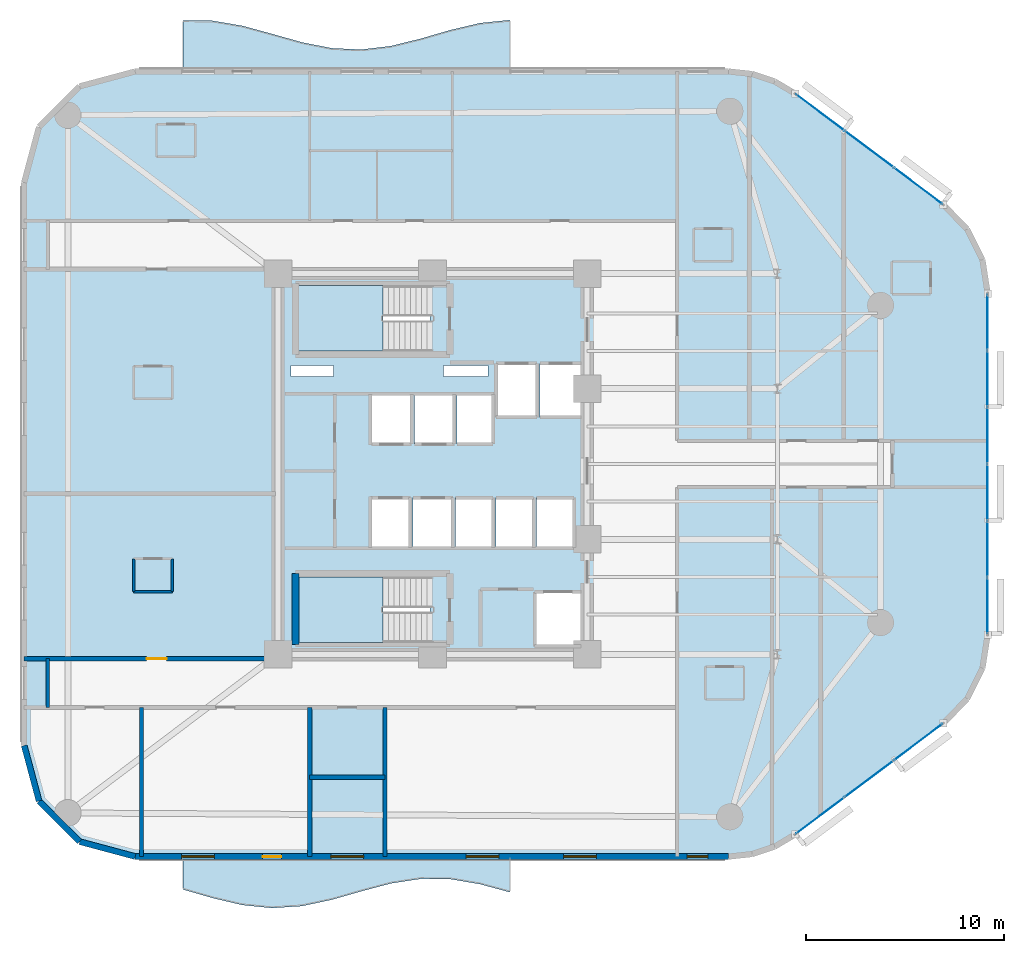
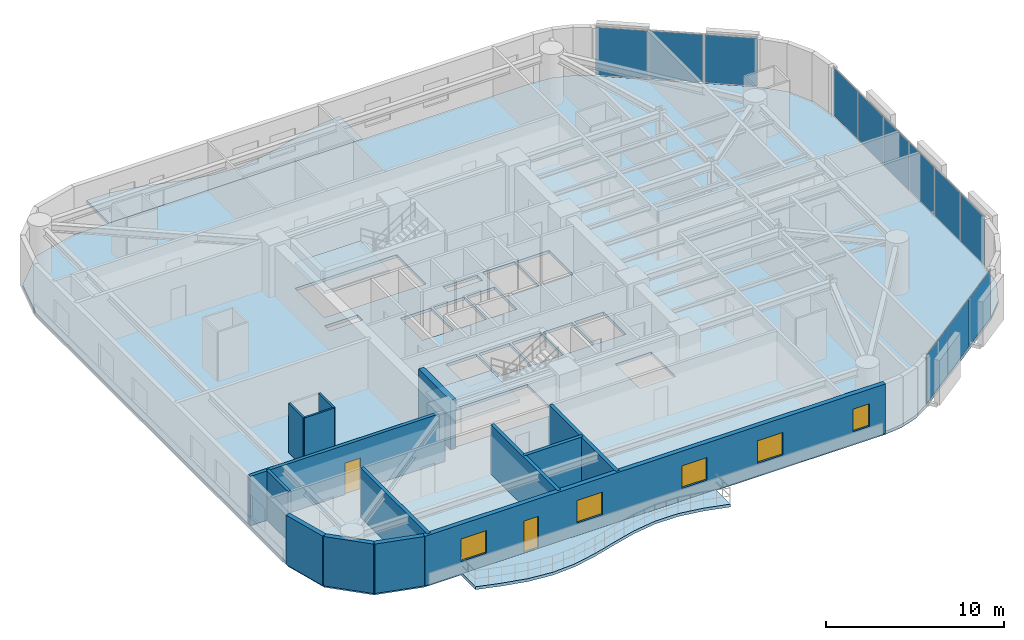
# One storey, part 9 of 16: 14 walls, 12 plates, 5 slabs, 5 windows, 2 doors, 7 openings, 5 elements without a shape of their own.
"""IFC4 building model written with IfcOpenShell, lengths in metres."""

from ifc_helpers import new_model, si_unit, direction, frame, frame_2d, origin, origin_2d, place, context, subcontext, project, spatial, polyline, rectangle, outline, extrude, material, layer, layer_set, type_object, element, fill, aggregate, save


model = new_model("IFC4")

# Units and contexts
model_context = context("Model", 3, precision=1e-05, world=origin(), true_north=direction((0.0, 1.0)))
body_context = subcontext(model_context, "Body", "Model", "MODEL_VIEW")
ifc_project = project(units=[si_unit("LENGTHUNIT", "METRE"), si_unit("AREAUNIT", "SQUARE_METRE"), si_unit("VOLUMEUNIT", "CUBIC_METRE"), si_unit("PLANEANGLEUNIT", "RADIAN"), si_unit("MASSUNIT", "GRAM", prefix="KILO")], contexts=[model_context])

# Site, building, storey
site_placement = place(None, origin())
site = spatial("IfcSite", under=ifc_project, at=site_placement, CompositionType="ELEMENT")
building_placement = place(site_placement, origin())
building = spatial("IfcBuilding", under=site, at=building_placement, Name="An Khanh Terracotta Commons", CompositionType="ELEMENT")
storey_placement = place(building_placement, frame((0.0, 0.0, 89.89990234375)))
storey = spatial("IfcBuildingStorey", under=building, at=storey_placement, Name="L23", CompositionType="ELEMENT", Elevation=89.89990234375)

# Curtain wall, plates
ifc_material_1 = material(Name="Anodised Aluminium 6063-T6", Category="aluminium")
ifc_layer_1 = layer(ifc_material_1, 0.199951171875, Name="Anodised Aluminium 6063-T6")
ifc_layer_set_1 = layer_set([ifc_layer_1], Name="Anodised Aluminium 6063-T6")
curtain_wall_type = type_object("IfcCurtainWallType", Name="CW-SYS-02", PredefinedType="USERDEFINED", material=ifc_layer_set_1)
curtain_wall_1_placement = place(storey_placement, origin())
curtain_wall_1 = element("IfcCurtainWall", 1, at=curtain_wall_1_placement, inside=storey, type_object=curtain_wall_type, Name="L23 CW-02 Unitised Curtain Wall CW-L23-08", ObjectType="UNITISED CURTAIN WALL", PredefinedType="USERDEFINED")
ifc_material_2 = material(Name="Double Low-E Solar Control Glazing", Category="glass")
ifc_layer_2 = layer(ifc_material_2, 0.028076171875, Name="Double Low-E Solar Control Glazing")
ifc_layer_set_2 = layer_set([ifc_layer_2], Name="Double Low-E Solar Control Glazing")
plate_type = type_object("IfcPlateType", Name="CWP-IGU-28", PredefinedType="CURTAIN_PANEL", material=ifc_layer_set_2)
plate_1_placement = place(storey_placement, frame((48.951416015625, 6.263916015625, 0.06005859375), z_axis=(0.0, 0.0, 1.0), x_axis=(0.800012856594, 0.599982857492, 0.0)))
plate_1 = element("IfcPlate", 2, at=plate_1_placement, type_object=plate_type, Name="CW-02 panel 1.1", PredefinedType="CURTAIN_PANEL", context=body_context, shape_type="SweptSolid", body=[
    extrude(rectangle(XDim=3.006103515625, YDim=0.028076171875, at=origin_2d()), origin(), (0.0, 0.0, 1.0), 3.280029296875),
])
plate_2_placement = place(storey_placement, frame((51.426513671875, 8.1201171875, 0.06005859375), z_axis=(0.0, 0.0, 1.0), x_axis=(0.800012856594, 0.599982857492, 0.0)))
plate_2 = element("IfcPlate", 3, at=plate_2_placement, type_object=plate_type, Name="CW-02 panel 2.1", PredefinedType="CURTAIN_PANEL", context=body_context, shape_type="SweptSolid", body=[
    extrude(rectangle(XDim=3.041259765625, YDim=0.028076171875, at=origin_2d()), origin(), (0.0, 0.0, 1.0), 3.280029296875),
])
plate_3_placement = place(storey_placement, frame((53.901611328125, 9.97607421875, 0.06005859375), z_axis=(0.0, 0.0, 1.0), x_axis=(0.800012856594, 0.599982857492, 0.0)))
plate_3 = element("IfcPlate", 4, at=plate_3_placement, type_object=plate_type, Name="CW-02 panel 3.1", PredefinedType="CURTAIN_PANEL", context=body_context, shape_type="SweptSolid", body=[
    extrude(rectangle(XDim=3.006103515625, YDim=0.028076171875, at=origin_2d()), origin(), (0.0, 0.0, 1.0), 3.280029296875),
])
aggregate(curtain_wall_1, [plate_1, plate_2, plate_3])

curtain_wall_2_placement = place(storey_placement, origin())
curtain_wall_2 = element("IfcCurtainWall", 5, at=curtain_wall_2_placement, inside=storey, type_object=curtain_wall_type, Name="L23 CW-02 Unitised Curtain Wall CW-L23-12", ObjectType="UNITISED CURTAIN WALL", PredefinedType="USERDEFINED")
plate_4_placement = place(storey_placement, frame((57.39990234375, 16.850830078125, 0.06005859375), z_axis=(0.0, 0.0, 1.0), x_axis=(0.0, 1.0, 0.0)))
plate_4 = element("IfcPlate", 6, at=plate_4_placement, type_object=plate_type, Name="CW-02 panel 1.1", PredefinedType="CURTAIN_PANEL", context=body_context, shape_type="SweptSolid", body=[
    extrude(rectangle(XDim=2.76171875, YDim=0.028076171875, at=origin_2d()), origin(), (0.0, 0.0, 1.0), 3.280029296875),
])
plate_5_placement = place(storey_placement, frame((57.39990234375, 19.699951171875, 0.06005859375), z_axis=(0.0, 0.0, 1.0), x_axis=(0.0, 1.0, 0.0)))
plate_5 = element("IfcPlate", 7, at=plate_5_placement, type_object=plate_type, Name="CW-02 panel 2.1", PredefinedType="CURTAIN_PANEL", context=body_context, shape_type="SweptSolid", body=[
    extrude(rectangle(XDim=2.796630859375, YDim=0.028076171875, at=origin_2d()), origin(), (0.0, 0.0, 1.0), 3.280029296875),
])
plate_6_placement = place(storey_placement, frame((57.39990234375, 22.566650390625, 0.06005859375), z_axis=(0.0, 0.0, 1.0), x_axis=(0.0, 1.0, 0.0)))
plate_6 = element("IfcPlate", 8, at=plate_6_placement, type_object=plate_type, Name="CW-02 panel 3.1", PredefinedType="CURTAIN_PANEL", context=body_context, shape_type="SweptSolid", body=[
    extrude(rectangle(XDim=2.796630859375, YDim=0.028076171875, at=origin_2d()), origin(), (0.0, 0.0, 1.0), 3.280029296875),
])
plate_7_placement = place(storey_placement, frame((57.39990234375, 25.433349609375, 0.06005859375), z_axis=(0.0, 0.0, 1.0), x_axis=(0.0, 1.0, 0.0)))
plate_7 = element("IfcPlate", 9, at=plate_7_placement, type_object=plate_type, Name="CW-02 panel 4.1", PredefinedType="CURTAIN_PANEL", context=body_context, shape_type="SweptSolid", body=[
    extrude(rectangle(XDim=2.796630859375, YDim=0.028076171875, at=origin_2d()), origin(), (0.0, 0.0, 1.0), 3.280029296875),
])
plate_8_placement = place(storey_placement, frame((57.39990234375, 28.300048828125, 0.06005859375), z_axis=(0.0, 0.0, 1.0), x_axis=(0.0, 1.0, 0.0)))
plate_8 = element("IfcPlate", 10, at=plate_8_placement, type_object=plate_type, Name="CW-02 panel 5.1", PredefinedType="CURTAIN_PANEL", context=body_context, shape_type="SweptSolid", body=[
    extrude(rectangle(XDim=2.796630859375, YDim=0.028076171875, at=origin_2d()), origin(), (0.0, 0.0, 1.0), 3.280029296875),
])
plate_9_placement = place(storey_placement, frame((57.39990234375, 31.149169921875, 0.06005859375), z_axis=(0.0, 0.0, 1.0), x_axis=(0.0, 1.0, 0.0)))
plate_9 = element("IfcPlate", 11, at=plate_9_placement, type_object=plate_type, Name="CW-02 panel 6.1", PredefinedType="CURTAIN_PANEL", context=body_context, shape_type="SweptSolid", body=[
    extrude(rectangle(XDim=2.76171875, YDim=0.028076171875, at=origin_2d()), origin(), (0.0, 0.0, 1.0), 3.280029296875),
])
aggregate(curtain_wall_2, [plate_4, plate_5, plate_6, plate_7, plate_8, plate_9])

curtain_wall_3_placement = place(storey_placement, origin())
curtain_wall_3 = element("IfcCurtainWall", 12, at=curtain_wall_3_placement, inside=storey, type_object=curtain_wall_type, Name="L23 CW-02 Unitised Curtain Wall CW-L23-16", ObjectType="UNITISED CURTAIN WALL", PredefinedType="USERDEFINED")
plate_10_placement = place(storey_placement, frame((53.901611328125, 38.02392578125, 0.06005859375), z_axis=(0.0, 0.0, 1.0), x_axis=(-0.800012856594, 0.599982857492, 0.0)))
plate_10 = element("IfcPlate", 13, at=plate_10_placement, type_object=plate_type, Name="CW-02 panel 1.1", PredefinedType="CURTAIN_PANEL", context=body_context, shape_type="SweptSolid", body=[
    extrude(rectangle(XDim=3.006103515625, YDim=0.028076171875, at=origin_2d()), origin(), (0.0, 0.0, 1.0), 3.280029296875),
])
plate_11_placement = place(storey_placement, frame((51.426513671875, 39.8798828125, 0.06005859375), z_axis=(0.0, 0.0, 1.0), x_axis=(-0.800012856594, 0.599982857492, 0.0)))
plate_11 = element("IfcPlate", 14, at=plate_11_placement, type_object=plate_type, Name="CW-02 panel 2.1", PredefinedType="CURTAIN_PANEL", context=body_context, shape_type="SweptSolid", body=[
    extrude(rectangle(XDim=3.041259765625, YDim=0.028076171875, at=origin_2d()), origin(), (0.0, 0.0, 1.0), 3.280029296875),
])
plate_12_placement = place(storey_placement, frame((48.951416015625, 41.736083984375, 0.06005859375), z_axis=(0.0, 0.0, 1.0), x_axis=(-0.800012856594, 0.599982857492, 0.0)))
plate_12 = element("IfcPlate", 15, at=plate_12_placement, type_object=plate_type, Name="CW-02 panel 3.1", PredefinedType="CURTAIN_PANEL", context=body_context, shape_type="SweptSolid", body=[
    extrude(rectangle(XDim=3.006103515625, YDim=0.028076171875, at=origin_2d()), origin(), (0.0, 0.0, 1.0), 3.280029296875),
])
aggregate(curtain_wall_3, [plate_10, plate_11, plate_12])

# Slabs
ifc_material_3 = material(Name="Concrete C40/50", Category="concrete")
ifc_layer_3 = layer(ifc_material_3, 0.199951171875, Name="Concrete C40/50")
ifc_layer_set_3 = layer_set([ifc_layer_3], Name="Concrete C40/50")
slab_type_1 = type_object("IfcSlabType", Name="SLAB-BALC-200", PredefinedType="FLOOR", material=ifc_layer_set_3)
slab_1_placement = place(storey_placement, frame((0.0, 0.0, -0.199951171875)))
element("IfcSlab", 16, at=slab_1_placement, inside=storey, type_object=slab_type_1, Name="L23 S Sinusoidal Wave Balcony Slab", PredefinedType="FLOOR", context=body_context, shape_type="SweptSolid", body=[
    extrude(outline(polyline([(16.800048828125, 4.199951171875), (16.800048828125, 2.5439453125), (18.300048828125, 2.10888671875), (19.800048828125, 1.7548828125), (21.300048828125, 1.60205078125), (22.800048828125, 1.699951171875), (24.300048828125, 2.01806640625), (25.800048828125, 2.447998046875), (27.300048828125, 2.844970703125), (28.800048828125, 3.073974609375), (30.300048828125, 3.06005859375), (31.800048828125, 2.806884765625), (33.300048828125, 2.39892578125), (33.300048828125, 4.199951171875), (16.800048828125, 4.199951171875)])), origin(), (0.0, 0.0, 1.0), 0.199951171875),
])
slab_2_placement = place(storey_placement, frame((0.0, 0.0, -0.199951171875)))
element("IfcSlab", 17, at=slab_2_placement, inside=storey, type_object=slab_type_1, Name="L23 N Sinusoidal Wave Balcony Slab", PredefinedType="FLOOR", context=body_context, shape_type="SweptSolid", body=[
    extrude(outline(polyline([(33.300048828125, 43.800048828125), (33.300048828125, 46.39794921875), (31.800048828125, 46.2451171875), (30.300048828125, 45.89111328125), (28.800048828125, 45.4560546875), (27.300048828125, 45.0859375), (25.800048828125, 44.906005859375), (24.300048828125, 44.97705078125), (22.800048828125, 45.27490234375), (21.300048828125, 45.698974609375), (19.800048828125, 46.10693359375), (18.300048828125, 46.360107421875), (16.800048828125, 46.3740234375), (16.800048828125, 43.800048828125), (33.300048828125, 43.800048828125)])), origin(), (0.0, 0.0, 1.0), 0.199951171875),
])

# Stair, slab
ifc_material_4 = material(Name="Precast concrete C40/50", Category="concrete")
stair_type = type_object("IfcStairType", Name="STAIR-CORE-1550", PredefinedType="HALF_TURN_STAIR", material=ifc_material_4)
stair_1_placement = place(storey_placement, origin())
stair_1 = element("IfcStair", 18, at=stair_1_placement, inside=storey, type_object=stair_type, Name="L23 Core Smokeproof Exit Stair ST-01", PredefinedType="HALF_TURN_STAIR")
ifc_layer_4 = layer(ifc_material_3, 0.18994140625, Name="Concrete C40/50")
ifc_layer_set_4 = layer_set([ifc_layer_4], Name="Concrete C40/50")
slab_type_2 = type_object("IfcSlabType", Name="SLAB-LANDING-190", PredefinedType="LANDING", material=ifc_layer_set_4)
slab_3_placement = place(storey_placement, frame((0.0, 0.0, 1.60009765625)))
slab_3 = element("IfcSlab", 19, at=slab_3_placement, type_object=slab_type_2, Name="ST-01 landing 1", PredefinedType="LANDING", context=body_context, shape_type="SweptSolid", body=[
    extrude(outline(polyline([(26.889892578125, 33.0), (22.64990234375, 33.0), (22.64990234375, 29.699951171875), (26.889892578125, 29.699951171875), (26.889892578125, 33.0)])), origin(), (0.0, 0.0, 1.0), 0.199951171875),
])
aggregate(stair_1, [slab_3])

stair_2_placement = place(storey_placement, origin())
stair_2 = element("IfcStair", 20, at=stair_2_placement, inside=storey, type_object=stair_type, Name="L23 Core Smokeproof Exit Stair ST-02", PredefinedType="HALF_TURN_STAIR")
slab_4_placement = place(storey_placement, frame((0.0, 0.0, 1.60009765625)))
slab_4 = element("IfcSlab", 21, at=slab_4_placement, type_object=slab_type_2, Name="ST-02 landing 1", PredefinedType="LANDING", context=body_context, shape_type="SweptSolid", body=[
    extrude(outline(polyline([(26.889892578125, 18.300048828125), (22.64990234375, 18.300048828125), (22.64990234375, 15.0), (26.889892578125, 15.0), (26.889892578125, 18.300048828125)])), origin(), (0.0, 0.0, 1.0), 0.199951171875),
])
aggregate(stair_2, [slab_4])

# Slab
ifc_layer_5 = layer(ifc_material_3, 0.199951171875, Name="Concrete C40/50")
ifc_layer_set_5 = layer_set([ifc_layer_5], Name="Concrete C40/50")
slab_type_3 = type_object("IfcSlabType", Name="SLAB-TYP-200", PredefinedType="FLOOR", material=ifc_layer_set_5)
slab_5_placement = place(storey_placement, frame((0.0, 0.0, -0.199951171875)))
element("IfcSlab", 22, at=slab_5_placement, inside=storey, type_object=slab_type_3, Name="L23 Structural Floor Slab", PredefinedType="FLOOR", context=body_context, shape_type="SweptSolid", body=[
    extrude(outline(polyline([(8.800048828125, 9.800048828125), (9.550048828125, 7.0), (11.60009765625, 4.949951171875), (14.39990234375, 4.199951171875), (44.3330078125, 4.199951171875), (45.52490234375, 4.327880859375), (46.6630859375, 4.70703125), (47.693115234375, 5.320068359375), (55.159912109375, 10.919921875), (56.364013671875, 12.154052734375), (57.135009765625, 13.696044921875), (57.39990234375, 15.39990234375), (57.39990234375, 32.60009765625), (57.135009765625, 34.303955078125), (56.364013671875, 35.845947265625), (55.159912109375, 37.080078125), (47.693115234375, 42.679931640625), (46.6630859375, 43.29296875), (45.52490234375, 43.672119140625), (44.3330078125, 43.800048828125), (14.39990234375, 43.800048828125), (11.60009765625, 43.050048828125), (9.550048828125, 41.0), (8.800048828125, 38.199951171875), (8.800048828125, 9.800048828125)]), holes=[polyline([(22.64990234375, 29.699951171875), (29.27001953125, 29.699951171875), (29.27001953125, 33.0), (22.64990234375, 33.0), (22.64990234375, 29.699951171875)]), polyline([(22.64990234375, 15.0), (29.27001953125, 15.0), (29.27001953125, 18.300048828125), (22.64990234375, 18.300048828125), (22.64990234375, 15.0)]), polyline([(32.60009765625, 26.35009765625), (34.679931640625, 26.35009765625), (34.679931640625, 29.080078125), (32.60009765625, 29.080078125), (32.60009765625, 26.35009765625)]), polyline([(34.820068359375, 26.35009765625), (36.89990234375, 26.35009765625), (36.89990234375, 29.080078125), (34.820068359375, 29.080078125), (34.820068359375, 26.35009765625)]), polyline([(34.550048828125, 14.800048828125), (36.89990234375, 14.800048828125), (36.89990234375, 17.550048828125), (34.550048828125, 17.550048828125), (34.550048828125, 14.800048828125)]), polyline([(26.320068359375, 25.0), (28.340087890625, 25.0), (28.340087890625, 27.5), (26.320068359375, 27.5), (26.320068359375, 25.0)]), polyline([(28.47998046875, 25.0), (30.5, 25.0), (30.5, 27.5), (28.47998046875, 27.5), (28.47998046875, 25.0)]), polyline([(26.280029296875, 19.800048828125), (28.280029296875, 19.800048828125), (28.280029296875, 22.300048828125), (26.280029296875, 22.300048828125), (26.280029296875, 19.800048828125)]), polyline([(28.419921875, 19.800048828125), (30.419921875, 19.800048828125), (30.419921875, 22.300048828125), (28.419921875, 22.300048828125), (28.419921875, 19.800048828125)]), polyline([(30.639892578125, 25.0), (32.4599609375, 25.0), (32.4599609375, 27.5), (30.639892578125, 27.5), (30.639892578125, 25.0)]), polyline([(30.56005859375, 19.800048828125), (32.4599609375, 19.800048828125), (32.4599609375, 22.300048828125), (30.56005859375, 22.300048828125), (30.56005859375, 19.800048828125)]), polyline([(32.60009765625, 19.800048828125), (34.5, 19.800048828125), (34.5, 22.300048828125), (32.60009765625, 22.300048828125), (32.60009765625, 19.800048828125)]), polyline([(34.639892578125, 19.800048828125), (36.5400390625, 19.800048828125), (36.5400390625, 22.300048828125), (34.639892578125, 22.300048828125), (34.639892578125, 19.800048828125)]), polyline([(22.25, 28.419921875), (24.39990234375, 28.419921875), (24.39990234375, 28.97998046875), (22.25, 28.97998046875), (22.25, 28.419921875)]), polyline([(29.949951171875, 28.419921875), (32.199951171875, 28.419921875), (32.199951171875, 28.97998046875), (29.949951171875, 28.97998046875), (29.949951171875, 28.419921875)])]), origin(), (0.0, 0.0, 1.0), 0.199951171875),
])

# Walls
ifc_material_5 = material(Name="Fire-Rated Gypsum Board on Steel Stud", Category="steel")
ifc_layer_6 = layer(ifc_material_5, 0.179931640625, Name="Fire-Rated Gypsum Board on Steel Stud")
ifc_layer_set_6 = layer_set([ifc_layer_6], Name="Fire-Rated Gypsum Board on Steel Stud")
wall_type_1 = type_object("IfcWallType", Name="WALL-CORR-180", PredefinedType="PARTITIONING", material=ifc_layer_set_6)
wall_1_placement = place(storey_placement, frame((10.0, 11.719970703125, 0.0), z_axis=(0.0, 0.0, 1.0), x_axis=(0.0, 1.0, 0.0)))
element("IfcWall", 23, at=wall_1_placement, inside=storey, type_object=wall_type_1, Name="L23 Interior Partition IW-L23-E010", PredefinedType="PARTITIONING", context=body_context, shape_type="SweptSolid", body=[
    extrude(rectangle(XDim=2.4599609375, YDim=0.179931640625, at=frame_2d((1.22998046875, 0.0))), origin(), (0.0, 0.0, 1.0), 3.400146484375),
])
ifc_layer_7 = layer(ifc_material_4, 0.300048828125, Name="Precast concrete C40/50")
ifc_layer_set_7 = layer_set([ifc_layer_7], Name="Precast concrete C40/50")
wall_type_2 = type_object("IfcWallType", Name="WALL-EXT-300", PredefinedType="SOLIDWALL", material=ifc_layer_set_7)
wall_2_placement = place(storey_placement, frame((8.800048828125, 9.800048828125, 0.0), z_axis=(0.0, 0.0, 1.0), x_axis=(0.258731875344, -0.96594917914, 0.0)))
element("IfcWall", 24, at=wall_2_placement, inside=storey, type_object=wall_type_2, Name="L23 Insulated Terracotta Exterior Wall 1", PredefinedType="SOLIDWALL", context=body_context, shape_type="SweptSolid", body=[
    extrude(rectangle(XDim=2.898681640625, YDim=0.300048828125, at=frame_2d((1.44921875, 0.0))), origin(), (0.0, 0.0, 1.0), 3.400146484375),
])
wall_3_placement = place(storey_placement, frame((9.550048828125, 7.0, 0.0), z_axis=(0.0, 0.0, 1.0), x_axis=(0.707106781187, -0.707106781187, 0.0)))
element("IfcWall", 25, at=wall_3_placement, inside=storey, type_object=wall_type_2, Name="L23 Insulated Terracotta Exterior Wall 2", PredefinedType="SOLIDWALL", context=body_context, shape_type="SweptSolid", body=[
    extrude(rectangle(XDim=2.899169921875, YDim=0.300048828125, at=frame_2d((1.44970703125, 0.0))), origin(), (0.0, 0.0, 1.0), 3.400146484375),
])
wall_4_placement = place(storey_placement, frame((11.60009765625, 4.949951171875, 0.0), z_axis=(0.0, 0.0, 1.0), x_axis=(0.965943540406, -0.258752926066, 0.0)))
element("IfcWall", 26, at=wall_4_placement, inside=storey, type_object=wall_type_2, Name="L23 Insulated Terracotta Exterior Wall 3", PredefinedType="SOLIDWALL", context=body_context, shape_type="SweptSolid", body=[
    extrude(rectangle(XDim=2.8984375, YDim=0.300048828125, at=frame_2d((1.44921875, 0.0))), origin(), (0.0, 0.0, 1.0), 3.400146484375),
])

# Wall, openings, door, windows
wall_5_placement = place(storey_placement, frame((14.39990234375, 4.199951171875, 0.0), z_axis=(0.0, 0.0, 1.0), x_axis=(1.0, 0.0, 0.0)))
wall_5 = element("IfcWall", 27, at=wall_5_placement, inside=storey, type_object=wall_type_2, Name="L23 Insulated Terracotta Exterior Wall 4", PredefinedType="SOLIDWALL", context=body_context, shape_type="SweptSolid", body=[
    extrude(rectangle(XDim=29.93310546875, YDim=0.300048828125, at=frame_2d((14.966552734375, 0.0))), origin(), (0.0, 0.0, 1.0), 3.400146484375),
])
opening_1_placement = place(wall_5_placement, frame((6.425048828125, 0.0, 0.0)))
opening_1 = element("IfcOpeningElement", 28, at=opening_1_placement, cuts=wall_5, Name="Opening D-BAL", PredefinedType="OPENING", context=body_context, shape_type="SweptSolid", body=[
    extrude(rectangle(XDim=0.949951171875, YDim=2.199951171875, at=frame_2d((0.47509765625, 1.10009765625))), frame((0.0, 0.159912109375, 0.0), z_axis=(0.0, -1.0, 0.0), x_axis=(1.0, 0.0, 0.0)), (0.0, 0.0, 1.0), 0.320068359375),
])
opening_2_placement = place(wall_5_placement, frame((2.342041015625, 0.0, 0.85009765625)))
opening_2 = element("IfcOpeningElement", 29, at=opening_2_placement, cuts=wall_5, Name="Opening W-02", PredefinedType="OPENING", context=body_context, shape_type="SweptSolid", body=[
    extrude(rectangle(XDim=1.64990234375, YDim=1.550048828125, at=frame_2d((0.824951171875, 0.77490234375))), frame((0.0, 0.159912109375, 0.0), z_axis=(0.0, -1.0, 0.0), x_axis=(1.0, 0.0, 0.0)), (0.0, 0.0, 1.0), 0.320068359375),
])
opening_3_placement = place(wall_5_placement, frame((9.875, 0.0, 0.85009765625)))
opening_3 = element("IfcOpeningElement", 30, at=opening_3_placement, cuts=wall_5, Name="Opening W-02", PredefinedType="OPENING", context=body_context, shape_type="SweptSolid", body=[
    extrude(rectangle(XDim=1.64990234375, YDim=1.550048828125, at=frame_2d((0.824951171875, 0.77490234375))), frame((0.0, 0.159912109375, 0.0), z_axis=(0.0, -1.0, 0.0), x_axis=(1.0, 0.0, 0.0)), (0.0, 0.0, 1.0), 0.320068359375),
])
opening_4_placement = place(wall_5_placement, frame((16.69189453125, 0.0, 0.85009765625)))
opening_4 = element("IfcOpeningElement", 31, at=opening_4_placement, cuts=wall_5, Name="Opening W-02", PredefinedType="OPENING", context=body_context, shape_type="SweptSolid", body=[
    extrude(rectangle(XDim=1.64990234375, YDim=1.550048828125, at=frame_2d((0.824951171875, 0.77490234375))), frame((0.0, 0.159912109375, 0.0), z_axis=(0.0, -1.0, 0.0), x_axis=(1.0, 0.0, 0.0)), (0.0, 0.0, 1.0), 0.320068359375),
])
opening_5_placement = place(wall_5_placement, frame((21.60791015625, 0.0, 0.85009765625)))
opening_5 = element("IfcOpeningElement", 32, at=opening_5_placement, cuts=wall_5, Name="Opening W-02", PredefinedType="OPENING", context=body_context, shape_type="SweptSolid", body=[
    extrude(rectangle(XDim=1.64990234375, YDim=1.550048828125, at=frame_2d((0.824951171875, 0.77490234375))), frame((0.0, 0.159912109375, 0.0), z_axis=(0.0, -1.0, 0.0), x_axis=(1.0, 0.0, 0.0)), (0.0, 0.0, 1.0), 0.320068359375),
])
opening_6_placement = place(wall_5_placement, frame((27.8359375, 0.0, 0.85009765625)))
opening_6 = element("IfcOpeningElement", 33, at=opening_6_placement, cuts=wall_5, Name="Opening W-06", PredefinedType="OPENING", context=body_context, shape_type="SweptSolid", body=[
    extrude(rectangle(XDim=1.050048828125, YDim=1.550048828125, at=frame_2d((0.52490234375, 0.77490234375))), frame((0.0, 0.159912109375, 0.0), z_axis=(0.0, -1.0, 0.0), x_axis=(1.0, 0.0, 0.0)), (0.0, 0.0, 1.0), 0.320068359375),
])
ifc_material_6 = material(Name="Thermally Broken Aluminium and Low-E Glass", Category="aluminium")
door_type_1 = type_object("IfcDoorType", Name="DOOR-BALC-950", OperationType="NOTDEFINED", PredefinedType="DOOR", material=ifc_material_6)
door_1_placement = place(opening_1_placement, origin())
door_1 = element("IfcDoor", 34, at=door_1_placement, inside=storey, type_object=door_type_1, Name="L23 S Wave Balcony Glazed Door", OperationType="SINGLE_SWING_LEFT", OverallHeight=2.199951171875, OverallWidth=0.949951171875, PredefinedType="DOOR", context=body_context, shape_type="SweptSolid", body=[
    extrude(rectangle(XDim=0.949951171875, YDim=2.199951171875, at=frame_2d((0.47509765625, 1.10009765625))), frame((0.0, 0.02490234375, 0.0), z_axis=(0.0, -1.0, 0.0), x_axis=(1.0, 0.0, 0.0)), (0.0, 0.0, 1.0), 0.050048828125),
])
fill(opening_1, door_1)
window_type_1 = type_object("IfcWindowType", Name="WIN-COR-1050x1550", PartitioningType="SINGLE_PANEL", PredefinedType="WINDOW", material=ifc_material_6)
window_1_placement = place(opening_6_placement, origin())
window_1 = element("IfcWindow", 35, at=window_1_placement, inside=storey, type_object=window_type_1, Name="L23 L23-SB1 Dwelling Casement Window", OverallHeight=1.550048828125, OverallWidth=1.050048828125, PartitioningType="SINGLE_PANEL", PredefinedType="WINDOW", context=body_context, shape_type="SweptSolid", body=[
    extrude(rectangle(XDim=1.050048828125, YDim=1.550048828125, at=frame_2d((0.52490234375, 0.77490234375))), frame((0.0, 0.030029296875, 0.0), z_axis=(0.0, -1.0, 0.0), x_axis=(1.0, 0.0, 0.0)), (0.0, 0.0, 1.0), 0.06005859375),
])
fill(opening_6, window_1)
window_type_2 = type_object("IfcWindowType", Name="WIN-Z2-1650x1550", PartitioningType="DOUBLE_PANEL_VERTICAL", PredefinedType="WINDOW", material=ifc_material_6)
window_2_placement = place(opening_2_placement, origin())
window_2 = element("IfcWindow", 36, at=window_2_placement, inside=storey, type_object=window_type_2, Name="L23 Operable Casement Window 4.1", OverallHeight=1.550048828125, OverallWidth=1.64990234375, PartitioningType="DOUBLE_PANEL_VERTICAL", PredefinedType="WINDOW", context=body_context, shape_type="SweptSolid", body=[
    extrude(rectangle(XDim=1.64990234375, YDim=1.550048828125, at=frame_2d((0.824951171875, 0.77490234375))), frame((0.0, 0.030029296875, 0.0), z_axis=(0.0, -1.0, 0.0), x_axis=(1.0, 0.0, 0.0)), (0.0, 0.0, 1.0), 0.06005859375),
])
fill(opening_2, window_2)
window_3_placement = place(opening_3_placement, origin())
window_3 = element("IfcWindow", 37, at=window_3_placement, inside=storey, type_object=window_type_2, Name="L23 Operable Casement Window 4.2", OverallHeight=1.550048828125, OverallWidth=1.64990234375, PartitioningType="DOUBLE_PANEL_VERTICAL", PredefinedType="WINDOW", context=body_context, shape_type="SweptSolid", body=[
    extrude(rectangle(XDim=1.64990234375, YDim=1.550048828125, at=frame_2d((0.824951171875, 0.77490234375))), frame((0.0, 0.030029296875, 0.0), z_axis=(0.0, -1.0, 0.0), x_axis=(1.0, 0.0, 0.0)), (0.0, 0.0, 1.0), 0.06005859375),
])
fill(opening_3, window_3)
window_4_placement = place(opening_4_placement, origin())
window_4 = element("IfcWindow", 38, at=window_4_placement, inside=storey, type_object=window_type_2, Name="L23 Operable Casement Window 4.3", OverallHeight=1.550048828125, OverallWidth=1.64990234375, PartitioningType="DOUBLE_PANEL_VERTICAL", PredefinedType="WINDOW", context=body_context, shape_type="SweptSolid", body=[
    extrude(rectangle(XDim=1.64990234375, YDim=1.550048828125, at=frame_2d((0.824951171875, 0.77490234375))), frame((0.0, 0.030029296875, 0.0), z_axis=(0.0, -1.0, 0.0), x_axis=(1.0, 0.0, 0.0)), (0.0, 0.0, 1.0), 0.06005859375),
])
fill(opening_4, window_4)
window_5_placement = place(opening_5_placement, origin())
window_5 = element("IfcWindow", 39, at=window_5_placement, inside=storey, type_object=window_type_2, Name="L23 Operable Casement Window 4.4", OverallHeight=1.550048828125, OverallWidth=1.64990234375, PartitioningType="DOUBLE_PANEL_VERTICAL", PredefinedType="WINDOW", context=body_context, shape_type="SweptSolid", body=[
    extrude(rectangle(XDim=1.64990234375, YDim=1.550048828125, at=frame_2d((0.824951171875, 0.77490234375))), frame((0.0, 0.030029296875, 0.0), z_axis=(0.0, -1.0, 0.0), x_axis=(1.0, 0.0, 0.0)), (0.0, 0.0, 1.0), 0.06005859375),
])
fill(opening_5, window_5)

# Wall
ifc_material_7 = material(Name="Acoustic Double-Stud Gypsum and Mineral Wool")
ifc_layer_8 = layer(ifc_material_7, 0.219970703125, Name="Acoustic Double-Stud Gypsum and Mineral Wool")
ifc_layer_set_8 = layer_set([ifc_layer_8], Name="Acoustic Double-Stud Gypsum and Mineral Wool")
wall_type_3 = type_object("IfcWallType", Name="WALL-PARTY-220", PredefinedType="PARTITIONING", material=ifc_layer_set_8)
wall_6_placement = place(storey_placement, frame((23.199951171875, 8.199951171875, 0.0), z_axis=(0.0, 0.0, 1.0), x_axis=(1.0, 0.0, 0.0)))
element("IfcWall", 40, at=wall_6_placement, inside=storey, type_object=wall_type_3, Name="L23 Interior Partition IW-L23-E001", PredefinedType="PARTITIONING", context=body_context, shape_type="SweptSolid", body=[
    extrude(rectangle(XDim=3.800048828125, YDim=0.219970703125, at=frame_2d((1.89990234375, 0.0))), origin(), (0.0, 0.0, 1.0), 3.400146484375),
])

# Wall, opening, door
wall_7_placement = place(storey_placement, frame((8.800048828125, 14.179931640625, 0.0), z_axis=(0.0, 0.0, 1.0), x_axis=(1.0, 0.0, 0.0)))
wall_7 = element("IfcWall", 41, at=wall_7_placement, inside=storey, type_object=wall_type_3, Name="L23 Interior Partition IW-L23-E003", PredefinedType="PARTITIONING", context=body_context, shape_type="SweptSolid", body=[
    extrude(rectangle(XDim=12.679931640625, YDim=0.219970703125, at=frame_2d((6.33984375, 0.0))), origin(), (0.0, 0.0, 1.0), 3.400146484375),
])
opening_7_placement = place(wall_7_placement, frame((6.179931640625, 0.0, 0.0)))
opening_7 = element("IfcOpeningElement", 42, at=opening_7_placement, cuts=wall_7, Name="Opening D-UN", PredefinedType="OPENING", context=body_context, shape_type="SweptSolid", body=[
    extrude(rectangle(XDim=1.0, YDim=2.14990234375, at=frame_2d((0.5, 1.074951171875))), frame((0.0, 0.119873046875, 0.0), z_axis=(0.0, -1.0, 0.0), x_axis=(1.0, 0.0, 0.0)), (0.0, 0.0, 1.0), 0.239990234375),
])
ifc_material_8 = material(Name="Solid-Core Hardwood Acoustic Fire Door", Category="wood")
door_type_2 = type_object("IfcDoorType", Name="DOOR-UNIT-1000", OperationType="NOTDEFINED", PredefinedType="DOOR", material=ifc_material_8)
door_2_placement = place(opening_7_placement, origin())
door_2 = element("IfcDoor", 43, at=door_2_placement, inside=storey, type_object=door_type_2, Name="L23 WW1 Kitchenette and Studio Apartment Door", OperationType="SINGLE_SWING_LEFT", OverallHeight=2.14990234375, OverallWidth=1.0, PredefinedType="DOOR", context=body_context, shape_type="SweptSolid", body=[
    extrude(rectangle(XDim=1.0, YDim=2.14990234375, at=frame_2d((0.5, 1.074951171875))), frame((0.0, 0.02490234375, 0.0), z_axis=(0.0, -1.0, 0.0), x_axis=(1.0, 0.0, 0.0)), (0.0, 0.0, 1.0), 0.050048828125),
])
fill(opening_7, door_2)

# Walls
for number, where, z_axis, x_axis, name in (
    (44, (14.721923828125, 4.199951171875, 0.0), (0.0, 0.0, 1.0), (0.0, 1.0, 0.0), "L23 Interior Partition IW-L23-E012"),
    (45, (23.199951171875, 4.199951171875, 0.0), (0.0, 0.0, 1.0), (0.0, 1.0, 0.0), "L23 Interior Partition IW-L23-E013"),
    (46, (27.0, 4.199951171875, 0.0), (0.0, 0.0, 1.0), (0.0, 1.0, 0.0), "L23 Interior Partition IW-L23-E016"),
):
    element("IfcWall", number, at=place(storey_placement, frame(where, z_axis=z_axis, x_axis=x_axis)), inside=storey, type_object=wall_type_3, Name=name, PredefinedType="PARTITIONING", context=body_context, shape_type="SweptSolid", body=[
        extrude(rectangle(XDim=7.52001953125, YDim=0.219970703125, at=frame_2d((3.760009765625, 0.0))), origin(), (0.0, 0.0, 1.0), 3.400146484375),
    ])
ifc_material_9 = material(Name="Concrete C50/60", Category="concrete")
ifc_layer_9 = layer(ifc_material_9, 0.35009765625, Name="Concrete C50/60")
ifc_layer_set_9 = layer_set([ifc_layer_9], Name="Concrete C50/60")
wall_type_4 = type_object("IfcWallType", Name="WALL-SHAFT-350", PredefinedType="SOLIDWALL", material=ifc_layer_set_9)
wall_8_placement = place(storey_placement, frame((22.47998046875, 14.889892578125, 0.0), z_axis=(0.0, 0.0, 1.0), x_axis=(0.0, 1.0, 0.0)))
element("IfcWall", 47, at=wall_8_placement, inside=storey, type_object=wall_type_4, Name="L23 Core Wall STW-L23-S-W", PredefinedType="SOLIDWALL", context=body_context, shape_type="SweptSolid", body=[
    extrude(rectangle(XDim=3.580078125, YDim=0.35009765625, at=frame_2d((1.7900390625, 0.0))), origin(), (0.0, 0.0, 1.0), 3.400146484375),
])
ifc_material_10 = material(Name="Moisture-Resistant Cement Board Partition")
ifc_layer_10 = layer(ifc_material_10, 0.1201171875, Name="Moisture-Resistant Cement Board Partition")
ifc_layer_set_10 = layer_set([ifc_layer_10], Name="Moisture-Resistant Cement Board Partition")
wall_type_5 = type_object("IfcWallType", Name="WALL-WET-120", PredefinedType="PARTITIONING", material=ifc_layer_set_10)
wall_9_placement = place(storey_placement, frame((16.27490234375, 17.56494140625, 0.0), z_axis=(0.0, 0.0, 1.0), x_axis=(-1.0, 0.0, 0.0)))
element("IfcWall", 48, at=wall_9_placement, inside=storey, type_object=wall_type_5, Name="L23 Interior Partition IW-L23-WW1-BS", PredefinedType="PARTITIONING", context=body_context, shape_type="SweptSolid", body=[
    extrude(rectangle(XDim=1.949951171875, YDim=0.1201171875, at=frame_2d((0.97509765625, 0.0))), origin(), (0.0, 0.0, 1.0), 3.400146484375),
])
for number, where, z_axis, x_axis, name in (
    (49, (14.324951171875, 19.215087890625, 0.0), (0.0, 0.0, 1.0), (0.0, -1.0, 0.0), "L23 Interior Partition IW-L23-WW1-BW"),
    (50, (16.27490234375, 17.56494140625, 0.0), (0.0, 0.0, 1.0), (0.0, 1.0, 0.0), "L23 Interior Partition IW-L23-WW1-BE"),
):
    element("IfcWall", number, at=place(storey_placement, frame(where, z_axis=z_axis, x_axis=x_axis)), inside=storey, type_object=wall_type_5, Name=name, PredefinedType="PARTITIONING", context=body_context, shape_type="SweptSolid", body=[
        extrude(rectangle(XDim=1.650146484375, YDim=0.1201171875, at=frame_2d((0.8251953125, 0.0))), origin(), (0.0, 0.0, 1.0), 3.400146484375),
    ])

save(model, "model.ifc")
